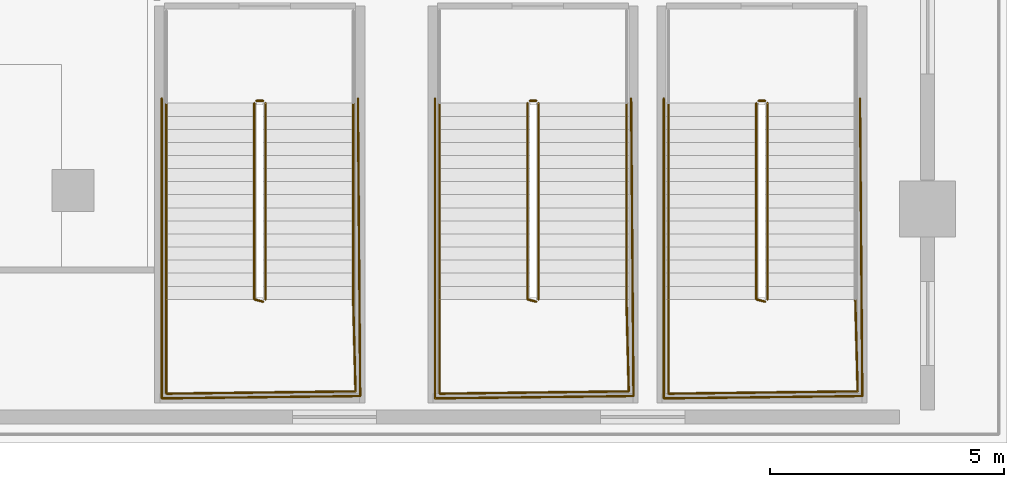
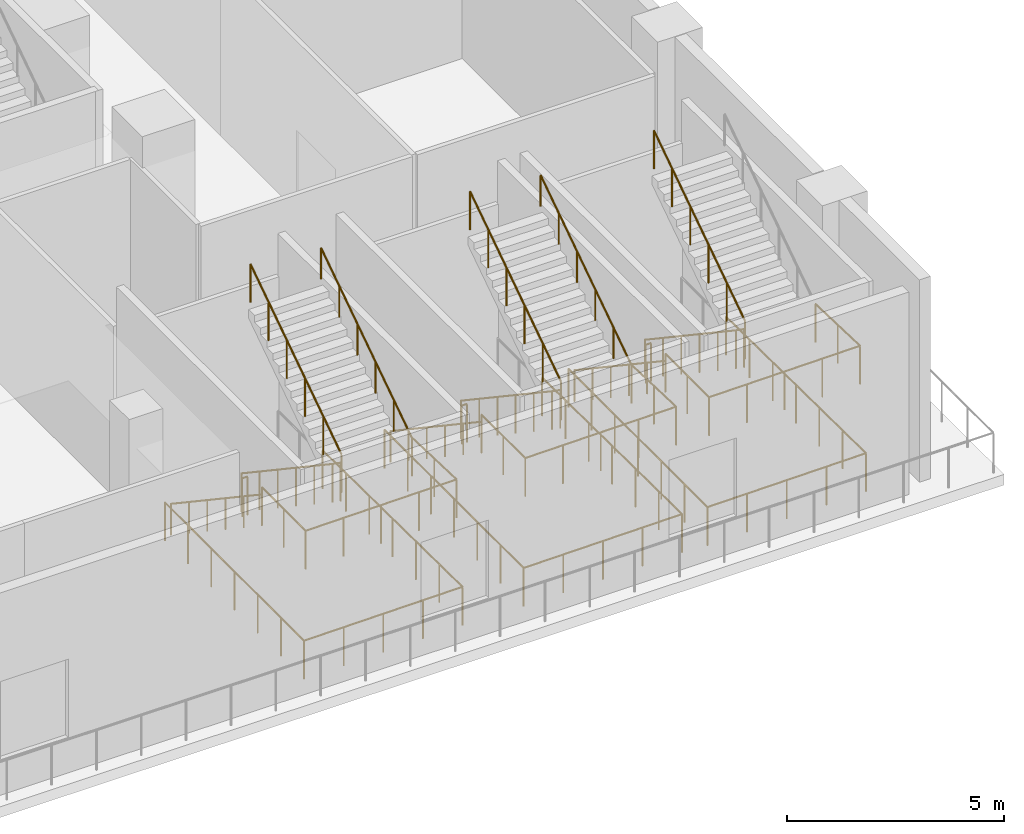
# One storey, part 26 of 30: 20 railings.
"""IFC4 building model written with IfcOpenShell, lengths in metres."""

from ifc_helpers import new_model, si_unit, direction, frame, origin, origin_2d, place, context, subcontext, project, spatial, circle, extrude, material, layer, layer_set, type_object, element, save


model = new_model("IFC4")

# Units and contexts
model_context = context("Model", 3, precision=1e-05, world=origin(), true_north=direction((0.0, 1.0)))
body_context = subcontext(model_context, "Body", "Model", "MODEL_VIEW")
ifc_project = project(units=[si_unit("LENGTHUNIT", "METRE"), si_unit("AREAUNIT", "SQUARE_METRE"), si_unit("VOLUMEUNIT", "CUBIC_METRE"), si_unit("PLANEANGLEUNIT", "RADIAN"), si_unit("MASSUNIT", "GRAM", prefix="KILO")], contexts=[model_context])

# Site, building, storey
site_placement = place(None, origin())
site = spatial("IfcSite", under=ifc_project, at=site_placement, CompositionType="ELEMENT")
building_placement = place(site_placement, origin())
building = spatial("IfcBuilding", under=site, at=building_placement, Name="Ndaravel Arena Tower", CompositionType="ELEMENT")
storey_placement = place(building_placement, frame((0.0, 0.0, 6.0)))
storey = spatial("IfcBuildingStorey", under=building, at=storey_placement, Name="L01", CompositionType="ELEMENT", Elevation=6.0)

# Railings
ifc_material_1 = material(Name="Steel S355", Category="steel")
ifc_layer_1 = layer(ifc_material_1, 0.06005859375)
ifc_layer_set_1 = layer_set([ifc_layer_1], Name="Steel S355")
railing_type_1 = type_object("IfcRailingType", Name="RAIL-STAIR-GD1100", PredefinedType="GUARDRAIL", material=ifc_layer_set_1)
railing_1_placement = place(storey_placement, frame((67.8798828125, 7.27001953125, 0.1875)))
element("IfcRailing", 1, at=railing_1_placement, inside=storey, type_object=railing_type_1, Name="L01 ST-A04 stair guard 1", PredefinedType="GUARDRAIL", context=body_context, shape_type="SweptSolid", body=[
    extrude(circle(Radius=0.02392578125, at=origin_2d()), frame((0.0, 0.0, 1.076171875), z_axis=(0.0, -0.830904186295, 0.556415522067), x_axis=(1.0, 0.0, 0.0)), (0.0, 0.0, 1.0), 5.0546875),
    extrude(circle(Radius=0.02392578125, at=origin_2d()), frame((0.0, -4.199951171875, 3.888671875), z_axis=(0.967074537263, -0.25449329928, 0.0), x_axis=(0.25449329928, 0.967074537263, 0.0)), (0.0, 0.0, 1.0), 0.19677734375),
    extrude(circle(Radius=0.02099609375, at=origin_2d()), origin(), (0.0, 0.0, 1.0), 1.052001953125),
    extrude(circle(Radius=0.02099609375, at=origin_2d()), frame((0.0, -0.840087890625, 0.5625)), (0.0, 0.0, 1.0), 1.052001953125),
    extrude(circle(Radius=0.02099609375, at=origin_2d()), frame((0.0, -1.679931640625, 1.125)), (0.0, 0.0, 1.0), 1.052001953125),
    extrude(circle(Radius=0.02099609375, at=origin_2d()), frame((0.0, -2.52001953125, 1.6875)), (0.0, 0.0, 1.0), 1.052001953125),
    extrude(circle(Radius=0.02099609375, at=origin_2d()), frame((0.0, -3.35986328125, 2.25)), (0.0, 0.0, 1.0), 1.052001953125),
    extrude(circle(Radius=0.02099609375, at=origin_2d()), frame((0.0, -4.199951171875, 2.8125)), (0.0, 0.0, 1.0), 1.052001953125),
    extrude(circle(Radius=0.02099609375, at=origin_2d()), frame((0.190185546875, -4.25, 2.8125)), (0.0, 0.0, 1.0), 1.052001953125),
])
railing_2_placement = place(storey_placement, frame((66.0, 3.070068359375, 3.0)))
element("IfcRailing", 2, at=railing_2_placement, inside=storey, type_object=railing_type_1, Name="L01 ST-A04 stair guard 2", PredefinedType="GUARDRAIL", context=body_context, shape_type="SweptSolid", body=[
    extrude(circle(Radius=0.02392578125, at=origin_2d()), frame((0.0, 0.0, 1.076171875), z_axis=(0.0, -1.0, 0.0), x_axis=(1.0, 0.0, 0.0)), (0.0, 0.0, 1.0), 2.02001953125),
    extrude(circle(Radius=0.02392578125, at=origin_2d()), frame((0.0, -2.02001953125, 1.076171875), z_axis=(0.999923653774, 0.012356642897, 0.0), x_axis=(-0.012356642897, 0.999923653774, 0.0)), (0.0, 0.0, 1.0), 4.05029296875),
    extrude(circle(Radius=0.02392578125, at=origin_2d()), frame((4.050048828125, -1.969970703125, 1.076171875), z_axis=(-0.025397679083, 0.999677426922, 0.0), x_axis=(-0.999677426922, -0.025397679083, 0.0)), (0.0, 0.0, 1.0), 1.970703125),
    extrude(circle(Radius=0.02099609375, at=origin_2d()), origin(), (0.0, 0.0, 1.0), 1.052001953125),
    extrude(circle(Radius=0.02099609375, at=origin_2d()), frame((0.0, -1.010009765625, 0.0)), (0.0, 0.0, 1.0), 1.052001953125),
    extrude(circle(Radius=0.02099609375, at=origin_2d()), frame((0.0, -2.02001953125, 0.0)), (0.0, 0.0, 1.0), 1.052001953125),
    extrude(circle(Radius=0.02099609375, at=origin_2d()), frame((1.012451171875, -2.007568359375, 0.0)), (0.0, 0.0, 1.0), 1.052001953125),
    extrude(circle(Radius=0.02099609375, at=origin_2d()), frame((2.02490234375, -1.9951171875, 0.0)), (0.0, 0.0, 1.0), 1.052001953125),
    extrude(circle(Radius=0.02099609375, at=origin_2d()), frame((3.03759765625, -1.982421875, 0.0)), (0.0, 0.0, 1.0), 1.052001953125),
    extrude(circle(Radius=0.02099609375, at=origin_2d()), frame((4.050048828125, -1.969970703125, 0.0)), (0.0, 0.0, 1.0), 1.052001953125),
    extrude(circle(Radius=0.02099609375, at=origin_2d()), frame((4.02490234375, -0.98486328125, 0.0)), (0.0, 0.0, 1.0), 1.052001953125),
    extrude(circle(Radius=0.02099609375, at=origin_2d()), frame((4.0, 0.0, 0.0)), (0.0, 0.0, 1.0), 1.052001953125),
])
railing_3_placement = place(storey_placement, frame((68.1201171875, 3.070068359375, 3.1875)))
element("IfcRailing", 3, at=railing_3_placement, inside=storey, type_object=railing_type_1, Name="L01 ST-A04 stair guard 3", PredefinedType="GUARDRAIL", context=body_context, shape_type="SweptSolid", body=[
    extrude(circle(Radius=0.02392578125, at=origin_2d()), frame((0.0, 0.0, 1.076171875), z_axis=(0.0, 0.830904186295, 0.556415522067), x_axis=(-1.0, 0.0, 0.0)), (0.0, 0.0, 1.0), 5.0546875),
    extrude(circle(Radius=0.02099609375, at=origin_2d()), origin(), (0.0, 0.0, 1.0), 1.052001953125),
    extrude(circle(Radius=0.02099609375, at=origin_2d()), frame((0.0, 0.840087890625, 0.5625)), (0.0, 0.0, 1.0), 1.052001953125),
    extrude(circle(Radius=0.02099609375, at=origin_2d()), frame((0.0, 1.679931640625, 1.125)), (0.0, 0.0, 1.0), 1.052001953125),
    extrude(circle(Radius=0.02099609375, at=origin_2d()), frame((0.0, 2.52001953125, 1.6875)), (0.0, 0.0, 1.0), 1.052001953125),
    extrude(circle(Radius=0.02099609375, at=origin_2d()), frame((0.0, 3.35986328125, 2.25)), (0.0, 0.0, 1.0), 1.052001953125),
    extrude(circle(Radius=0.02099609375, at=origin_2d()), frame((0.0, 4.199951171875, 2.8125)), (0.0, 0.0, 1.0), 1.052001953125),
])
railing_4_placement = place(storey_placement, frame((67.929931640625, 7.320068359375, 0.0)))
element("IfcRailing", 4, at=railing_4_placement, inside=storey, type_object=railing_type_1, Name="L01 ST-A04 stair guard 4", PredefinedType="GUARDRAIL", context=body_context, shape_type="SweptSolid", body=[
    extrude(circle(Radius=0.02392578125, at=origin_2d()), frame((0.0, 0.0, 1.076171875), z_axis=(1.0, 0.0, 0.0), x_axis=(0.0, 1.0, 0.0)), (0.0, 0.0, 1.0), 0.14013671875),
    extrude(circle(Radius=0.02099609375, at=origin_2d()), origin(), (0.0, 0.0, 1.0), 1.052001953125),
    extrude(circle(Radius=0.02099609375, at=origin_2d()), frame((0.14013671875, 0.0, 0.0)), (0.0, 0.0, 1.0), 1.052001953125),
])
railing_5_placement = place(storey_placement, frame((65.89990234375, 7.3701171875, 0.0)))
element("IfcRailing", 5, at=railing_5_placement, inside=storey, type_object=railing_type_1, Name="L01 ST-A04 stair guard 7", PredefinedType="GUARDRAIL", context=body_context, shape_type="SweptSolid", body=[
    extrude(circle(Radius=0.02392578125, at=origin_2d()), frame((0.0, 0.0, 1.076171875), z_axis=(0.0, -1.0, 0.0), x_axis=(1.0, 0.0, 0.0)), (0.0, 0.0, 1.0), 6.420166015625),
    extrude(circle(Radius=0.02392578125, at=origin_2d()), frame((0.0, -6.420166015625, 1.076171875), z_axis=(0.999930667828, 0.011775378384, 0.0), x_axis=(-0.011775378384, 0.999930667828, 0.0)), (0.0, 0.0, 1.0), 4.250244140625),
    extrude(circle(Radius=0.02392578125, at=origin_2d()), frame((4.25, -6.3701171875, 1.076171875), z_axis=(-0.007818249469, 0.999969437021, 0.0), x_axis=(-0.999969437021, -0.007818249469, 0.0)), (0.0, 0.0, 1.0), 6.370361328125),
    extrude(circle(Radius=0.02099609375, at=origin_2d()), origin(), (0.0, 0.0, 1.0), 1.052001953125),
    extrude(circle(Radius=0.02099609375, at=origin_2d()), frame((0.0, -1.070068359375, 0.0)), (0.0, 0.0, 1.0), 1.052001953125),
    extrude(circle(Radius=0.02099609375, at=origin_2d()), frame((0.0, -2.14013671875, 0.0)), (0.0, 0.0, 1.0), 1.052001953125),
    extrude(circle(Radius=0.02099609375, at=origin_2d()), frame((0.0, -3.2099609375, 0.0)), (0.0, 0.0, 1.0), 1.052001953125),
    extrude(circle(Radius=0.02099609375, at=origin_2d()), frame((0.0, -4.280029296875, 0.0)), (0.0, 0.0, 1.0), 1.052001953125),
    extrude(circle(Radius=0.02099609375, at=origin_2d()), frame((0.0, -5.35009765625, 0.0)), (0.0, 0.0, 1.0), 1.052001953125),
    extrude(circle(Radius=0.02099609375, at=origin_2d()), frame((0.0, -6.420166015625, 0.0)), (0.0, 0.0, 1.0), 1.052001953125),
    extrude(circle(Radius=0.02099609375, at=origin_2d()), frame((1.0625, -6.40771484375, 0.0)), (0.0, 0.0, 1.0), 1.052001953125),
    extrude(circle(Radius=0.02099609375, at=origin_2d()), frame((2.125, -6.39501953125, 0.0)), (0.0, 0.0, 1.0), 1.052001953125),
    extrude(circle(Radius=0.02099609375, at=origin_2d()), frame((3.1875, -6.382568359375, 0.0)), (0.0, 0.0, 1.0), 1.052001953125),
    extrude(circle(Radius=0.02099609375, at=origin_2d()), frame((4.25, -6.3701171875, 0.0)), (0.0, 0.0, 1.0), 1.052001953125),
    extrude(circle(Radius=0.02099609375, at=origin_2d()), frame((4.24169921875, -5.308349609375, 0.0)), (0.0, 0.0, 1.0), 1.052001953125),
    extrude(circle(Radius=0.02099609375, at=origin_2d()), frame((4.2333984375, -4.246826171875, 0.0)), (0.0, 0.0, 1.0), 1.052001953125),
    extrude(circle(Radius=0.02099609375, at=origin_2d()), frame((4.22509765625, -3.18505859375, 0.0)), (0.0, 0.0, 1.0), 1.052001953125),
    extrude(circle(Radius=0.02099609375, at=origin_2d()), frame((4.216796875, -2.123291015625, 0.0)), (0.0, 0.0, 1.0), 1.052001953125),
    extrude(circle(Radius=0.02099609375, at=origin_2d()), frame((4.20849609375, -1.061767578125, 0.0)), (0.0, 0.0, 1.0), 1.052001953125),
    extrude(circle(Radius=0.02099609375, at=origin_2d()), frame((4.2001953125, 0.0, 0.0)), (0.0, 0.0, 1.0), 1.052001953125),
])
railing_6_placement = place(storey_placement, frame((73.72998046875, 7.27001953125, 0.1875)))
element("IfcRailing", 6, at=railing_6_placement, inside=storey, type_object=railing_type_1, Name="L01 ST-A05 stair guard 1", PredefinedType="GUARDRAIL", context=body_context, shape_type="SweptSolid", body=[
    extrude(circle(Radius=0.02392578125, at=origin_2d()), frame((0.0, 0.0, 1.076171875), z_axis=(0.0, -0.830904186295, 0.556415522067), x_axis=(1.0, 0.0, 0.0)), (0.0, 0.0, 1.0), 5.0546875),
    extrude(circle(Radius=0.02392578125, at=origin_2d()), frame((0.0, -4.199951171875, 3.888671875), z_axis=(0.966993988697, -0.254799187253, 0.0), x_axis=(0.254799187253, 0.966993988697, 0.0)), (0.0, 0.0, 1.0), 0.196533203125),
    extrude(circle(Radius=0.02099609375, at=origin_2d()), origin(), (0.0, 0.0, 1.0), 1.052001953125),
    extrude(circle(Radius=0.02099609375, at=origin_2d()), frame((0.0, -0.840087890625, 0.5625)), (0.0, 0.0, 1.0), 1.052001953125),
    extrude(circle(Radius=0.02099609375, at=origin_2d()), frame((0.0, -1.679931640625, 1.125)), (0.0, 0.0, 1.0), 1.052001953125),
    extrude(circle(Radius=0.02099609375, at=origin_2d()), frame((0.0, -2.52001953125, 1.6875)), (0.0, 0.0, 1.0), 1.052001953125),
    extrude(circle(Radius=0.02099609375, at=origin_2d()), frame((0.0, -3.35986328125, 2.25)), (0.0, 0.0, 1.0), 1.052001953125),
    extrude(circle(Radius=0.02099609375, at=origin_2d()), frame((0.0, -4.199951171875, 2.8125)), (0.0, 0.0, 1.0), 1.052001953125),
    extrude(circle(Radius=0.02099609375, at=origin_2d()), frame((0.18994140625, -4.25, 2.8125)), (0.0, 0.0, 1.0), 1.052001953125),
])
railing_7_placement = place(storey_placement, frame((71.85009765625, 3.070068359375, 3.0)))
element("IfcRailing", 7, at=railing_7_placement, inside=storey, type_object=railing_type_1, Name="L01 ST-A05 stair guard 2", PredefinedType="GUARDRAIL", context=body_context, shape_type="SweptSolid", body=[
    extrude(circle(Radius=0.02392578125, at=origin_2d()), frame((0.0, 0.0, 1.076171875), z_axis=(0.0, -1.0, 0.0), x_axis=(1.0, 0.0, 0.0)), (0.0, 0.0, 1.0), 2.02001953125),
    extrude(circle(Radius=0.02392578125, at=origin_2d()), frame((0.0, -2.02001953125, 1.076171875), z_axis=(0.99992364457, 0.012357387698, 0.0), x_axis=(-0.012357387698, 0.99992364457, 0.0)), (0.0, 0.0, 1.0), 4.050048828125),
    extrude(circle(Radius=0.02392578125, at=origin_2d()), frame((4.0498046875, -1.969970703125, 1.076171875), z_axis=(-0.025273867297, 0.999680564797, 0.0), x_axis=(-0.999680564797, -0.025273867297, 0.0)), (0.0, 0.0, 1.0), 1.970703125),
    extrude(circle(Radius=0.02099609375, at=origin_2d()), origin(), (0.0, 0.0, 1.0), 1.052001953125),
    extrude(circle(Radius=0.02099609375, at=origin_2d()), frame((0.0, -1.010009765625, 0.0)), (0.0, 0.0, 1.0), 1.052001953125),
    extrude(circle(Radius=0.02099609375, at=origin_2d()), frame((0.0, -2.02001953125, 0.0)), (0.0, 0.0, 1.0), 1.052001953125),
    extrude(circle(Radius=0.02099609375, at=origin_2d()), frame((1.012451171875, -2.007568359375, 0.0)), (0.0, 0.0, 1.0), 1.052001953125),
    extrude(circle(Radius=0.02099609375, at=origin_2d()), frame((2.02490234375, -1.9951171875, 0.0)), (0.0, 0.0, 1.0), 1.052001953125),
    extrude(circle(Radius=0.02099609375, at=origin_2d()), frame((3.037353515625, -1.982421875, 0.0)), (0.0, 0.0, 1.0), 1.052001953125),
    extrude(circle(Radius=0.02099609375, at=origin_2d()), frame((4.0498046875, -1.969970703125, 0.0)), (0.0, 0.0, 1.0), 1.052001953125),
    extrude(circle(Radius=0.02099609375, at=origin_2d()), frame((4.02490234375, -0.98486328125, 0.0)), (0.0, 0.0, 1.0), 1.052001953125),
    extrude(circle(Radius=0.02099609375, at=origin_2d()), frame((4.0, 0.0, 0.0)), (0.0, 0.0, 1.0), 1.052001953125),
])
railing_8_placement = place(storey_placement, frame((73.969970703125, 3.070068359375, 3.1875)))
element("IfcRailing", 8, at=railing_8_placement, inside=storey, type_object=railing_type_1, Name="L01 ST-A05 stair guard 3", PredefinedType="GUARDRAIL", context=body_context, shape_type="SweptSolid", body=[
    extrude(circle(Radius=0.02392578125, at=origin_2d()), frame((0.0, 0.0, 1.076171875), z_axis=(0.0, 0.830904186295, 0.556415522067), x_axis=(-1.0, 0.0, 0.0)), (0.0, 0.0, 1.0), 5.0546875),
    extrude(circle(Radius=0.02099609375, at=origin_2d()), origin(), (0.0, 0.0, 1.0), 1.052001953125),
    extrude(circle(Radius=0.02099609375, at=origin_2d()), frame((0.0, 0.840087890625, 0.5625)), (0.0, 0.0, 1.0), 1.052001953125),
    extrude(circle(Radius=0.02099609375, at=origin_2d()), frame((0.0, 1.679931640625, 1.125)), (0.0, 0.0, 1.0), 1.052001953125),
    extrude(circle(Radius=0.02099609375, at=origin_2d()), frame((0.0, 2.52001953125, 1.6875)), (0.0, 0.0, 1.0), 1.052001953125),
    extrude(circle(Radius=0.02099609375, at=origin_2d()), frame((0.0, 3.35986328125, 2.25)), (0.0, 0.0, 1.0), 1.052001953125),
    extrude(circle(Radius=0.02099609375, at=origin_2d()), frame((0.0, 4.199951171875, 2.8125)), (0.0, 0.0, 1.0), 1.052001953125),
])
railing_9_placement = place(storey_placement, frame((73.780029296875, 7.320068359375, 0.0)))
element("IfcRailing", 9, at=railing_9_placement, inside=storey, type_object=railing_type_1, Name="L01 ST-A05 stair guard 4", PredefinedType="GUARDRAIL", context=body_context, shape_type="SweptSolid", body=[
    extrude(circle(Radius=0.02392578125, at=origin_2d()), frame((0.0, 0.0, 1.076171875), z_axis=(1.0, 0.0, 0.0), x_axis=(0.0, 1.0, 0.0)), (0.0, 0.0, 1.0), 0.139892578125),
    extrude(circle(Radius=0.02099609375, at=origin_2d()), origin(), (0.0, 0.0, 1.0), 1.052001953125),
    extrude(circle(Radius=0.02099609375, at=origin_2d()), frame((0.139892578125, 0.0, 0.0)), (0.0, 0.0, 1.0), 1.052001953125),
])
railing_10_placement = place(storey_placement, frame((71.75, 7.3701171875, 0.0)))
element("IfcRailing", 10, at=railing_10_placement, inside=storey, type_object=railing_type_1, Name="L01 ST-A05 stair guard 7", PredefinedType="GUARDRAIL", context=body_context, shape_type="SweptSolid", body=[
    extrude(circle(Radius=0.02392578125, at=origin_2d()), frame((0.0, 0.0, 1.076171875), z_axis=(0.0, -1.0, 0.0), x_axis=(1.0, 0.0, 0.0)), (0.0, 0.0, 1.0), 6.420166015625),
    extrude(circle(Radius=0.02392578125, at=origin_2d()), frame((0.0, -6.420166015625, 1.076171875), z_axis=(0.999930667828, 0.011775378384, 0.0), x_axis=(-0.011775378384, 0.999930667828, 0.0)), (0.0, 0.0, 1.0), 4.250244140625),
    extrude(circle(Radius=0.02392578125, at=origin_2d()), frame((4.25, -6.3701171875, 1.076171875), z_axis=(-0.007856571862, 0.999969136663, 0.0), x_axis=(-0.999969136663, -0.007856571862, 0.0)), (0.0, 0.0, 1.0), 6.370361328125),
    extrude(circle(Radius=0.02099609375, at=origin_2d()), origin(), (0.0, 0.0, 1.0), 1.052001953125),
    extrude(circle(Radius=0.02099609375, at=origin_2d()), frame((0.0, -1.070068359375, 0.0)), (0.0, 0.0, 1.0), 1.052001953125),
    extrude(circle(Radius=0.02099609375, at=origin_2d()), frame((0.0, -2.14013671875, 0.0)), (0.0, 0.0, 1.0), 1.052001953125),
    extrude(circle(Radius=0.02099609375, at=origin_2d()), frame((0.0, -3.2099609375, 0.0)), (0.0, 0.0, 1.0), 1.052001953125),
    extrude(circle(Radius=0.02099609375, at=origin_2d()), frame((0.0, -4.280029296875, 0.0)), (0.0, 0.0, 1.0), 1.052001953125),
    extrude(circle(Radius=0.02099609375, at=origin_2d()), frame((0.0, -5.35009765625, 0.0)), (0.0, 0.0, 1.0), 1.052001953125),
    extrude(circle(Radius=0.02099609375, at=origin_2d()), frame((0.0, -6.420166015625, 0.0)), (0.0, 0.0, 1.0), 1.052001953125),
    extrude(circle(Radius=0.02099609375, at=origin_2d()), frame((1.0625, -6.40771484375, 0.0)), (0.0, 0.0, 1.0), 1.052001953125),
    extrude(circle(Radius=0.02099609375, at=origin_2d()), frame((2.125, -6.39501953125, 0.0)), (0.0, 0.0, 1.0), 1.052001953125),
    extrude(circle(Radius=0.02099609375, at=origin_2d()), frame((3.1875, -6.382568359375, 0.0)), (0.0, 0.0, 1.0), 1.052001953125),
    extrude(circle(Radius=0.02099609375, at=origin_2d()), frame((4.25, -6.3701171875, 0.0)), (0.0, 0.0, 1.0), 1.052001953125),
    extrude(circle(Radius=0.02099609375, at=origin_2d()), frame((4.24169921875, -5.308349609375, 0.0)), (0.0, 0.0, 1.0), 1.052001953125),
    extrude(circle(Radius=0.02099609375, at=origin_2d()), frame((4.2333984375, -4.246826171875, 0.0)), (0.0, 0.0, 1.0), 1.052001953125),
    extrude(circle(Radius=0.02099609375, at=origin_2d()), frame((4.22509765625, -3.18505859375, 0.0)), (0.0, 0.0, 1.0), 1.052001953125),
    extrude(circle(Radius=0.02099609375, at=origin_2d()), frame((4.216552734375, -2.123291015625, 0.0)), (0.0, 0.0, 1.0), 1.052001953125),
    extrude(circle(Radius=0.02099609375, at=origin_2d()), frame((4.208251953125, -1.061767578125, 0.0)), (0.0, 0.0, 1.0), 1.052001953125),
    extrude(circle(Radius=0.02099609375, at=origin_2d()), frame((4.199951171875, 0.0, 0.0)), (0.0, 0.0, 1.0), 1.052001953125),
])
railing_11_placement = place(storey_placement, frame((78.6298828125, 7.27001953125, 0.1875)))
element("IfcRailing", 11, at=railing_11_placement, inside=storey, type_object=railing_type_1, Name="L01 ST-A06 stair guard 1", PredefinedType="GUARDRAIL", context=body_context, shape_type="SweptSolid", body=[
    extrude(circle(Radius=0.02392578125, at=origin_2d()), frame((0.0, 0.0, 1.076171875), z_axis=(0.0, -0.830904186295, 0.556415522067), x_axis=(1.0, 0.0, 0.0)), (0.0, 0.0, 1.0), 5.0546875),
    extrude(circle(Radius=0.02392578125, at=origin_2d()), frame((0.0, -4.199951171875, 3.888671875), z_axis=(0.967074537263, -0.25449329928, 0.0), x_axis=(0.25449329928, 0.967074537263, 0.0)), (0.0, 0.0, 1.0), 0.19677734375),
    extrude(circle(Radius=0.02099609375, at=origin_2d()), origin(), (0.0, 0.0, 1.0), 1.052001953125),
    extrude(circle(Radius=0.02099609375, at=origin_2d()), frame((0.0, -0.840087890625, 0.5625)), (0.0, 0.0, 1.0), 1.052001953125),
    extrude(circle(Radius=0.02099609375, at=origin_2d()), frame((0.0, -1.679931640625, 1.125)), (0.0, 0.0, 1.0), 1.052001953125),
    extrude(circle(Radius=0.02099609375, at=origin_2d()), frame((0.0, -2.52001953125, 1.6875)), (0.0, 0.0, 1.0), 1.052001953125),
    extrude(circle(Radius=0.02099609375, at=origin_2d()), frame((0.0, -3.35986328125, 2.25)), (0.0, 0.0, 1.0), 1.052001953125),
    extrude(circle(Radius=0.02099609375, at=origin_2d()), frame((0.0, -4.199951171875, 2.8125)), (0.0, 0.0, 1.0), 1.052001953125),
    extrude(circle(Radius=0.02099609375, at=origin_2d()), frame((0.190185546875, -4.25, 2.8125)), (0.0, 0.0, 1.0), 1.052001953125),
])
railing_12_placement = place(storey_placement, frame((76.75, 3.070068359375, 3.0)))
element("IfcRailing", 12, at=railing_12_placement, inside=storey, type_object=railing_type_1, Name="L01 ST-A06 stair guard 2", PredefinedType="GUARDRAIL", context=body_context, shape_type="SweptSolid", body=[
    extrude(circle(Radius=0.02392578125, at=origin_2d()), frame((0.0, 0.0, 1.076171875), z_axis=(0.0, -1.0, 0.0), x_axis=(1.0, 0.0, 0.0)), (0.0, 0.0, 1.0), 2.02001953125),
    extrude(circle(Radius=0.02392578125, at=origin_2d()), frame((0.0, -2.02001953125, 1.076171875), z_axis=(0.999923653774, 0.012356642897, 0.0), x_axis=(-0.012356642897, 0.999923653774, 0.0)), (0.0, 0.0, 1.0), 4.05029296875),
    extrude(circle(Radius=0.02392578125, at=origin_2d()), frame((4.050048828125, -1.969970703125, 1.076171875), z_axis=(-0.025397679083, 0.999677426922, 0.0), x_axis=(-0.999677426922, -0.025397679083, 0.0)), (0.0, 0.0, 1.0), 1.970703125),
    extrude(circle(Radius=0.02099609375, at=origin_2d()), origin(), (0.0, 0.0, 1.0), 1.052001953125),
    extrude(circle(Radius=0.02099609375, at=origin_2d()), frame((0.0, -1.010009765625, 0.0)), (0.0, 0.0, 1.0), 1.052001953125),
    extrude(circle(Radius=0.02099609375, at=origin_2d()), frame((0.0, -2.02001953125, 0.0)), (0.0, 0.0, 1.0), 1.052001953125),
    extrude(circle(Radius=0.02099609375, at=origin_2d()), frame((1.012451171875, -2.007568359375, 0.0)), (0.0, 0.0, 1.0), 1.052001953125),
    extrude(circle(Radius=0.02099609375, at=origin_2d()), frame((2.02490234375, -1.9951171875, 0.0)), (0.0, 0.0, 1.0), 1.052001953125),
    extrude(circle(Radius=0.02099609375, at=origin_2d()), frame((3.03759765625, -1.982421875, 0.0)), (0.0, 0.0, 1.0), 1.052001953125),
    extrude(circle(Radius=0.02099609375, at=origin_2d()), frame((4.050048828125, -1.969970703125, 0.0)), (0.0, 0.0, 1.0), 1.052001953125),
    extrude(circle(Radius=0.02099609375, at=origin_2d()), frame((4.02490234375, -0.98486328125, 0.0)), (0.0, 0.0, 1.0), 1.052001953125),
    extrude(circle(Radius=0.02099609375, at=origin_2d()), frame((4.0, 0.0, 0.0)), (0.0, 0.0, 1.0), 1.052001953125),
])
railing_13_placement = place(storey_placement, frame((78.8701171875, 3.070068359375, 3.1875)))
element("IfcRailing", 13, at=railing_13_placement, inside=storey, type_object=railing_type_1, Name="L01 ST-A06 stair guard 3", PredefinedType="GUARDRAIL", context=body_context, shape_type="SweptSolid", body=[
    extrude(circle(Radius=0.02392578125, at=origin_2d()), frame((0.0, 0.0, 1.076171875), z_axis=(0.0, 0.830904186295, 0.556415522067), x_axis=(-1.0, 0.0, 0.0)), (0.0, 0.0, 1.0), 5.0546875),
    extrude(circle(Radius=0.02099609375, at=origin_2d()), origin(), (0.0, 0.0, 1.0), 1.052001953125),
    extrude(circle(Radius=0.02099609375, at=origin_2d()), frame((0.0, 0.840087890625, 0.5625)), (0.0, 0.0, 1.0), 1.052001953125),
    extrude(circle(Radius=0.02099609375, at=origin_2d()), frame((0.0, 1.679931640625, 1.125)), (0.0, 0.0, 1.0), 1.052001953125),
    extrude(circle(Radius=0.02099609375, at=origin_2d()), frame((0.0, 2.52001953125, 1.6875)), (0.0, 0.0, 1.0), 1.052001953125),
    extrude(circle(Radius=0.02099609375, at=origin_2d()), frame((0.0, 3.35986328125, 2.25)), (0.0, 0.0, 1.0), 1.052001953125),
    extrude(circle(Radius=0.02099609375, at=origin_2d()), frame((0.0, 4.199951171875, 2.8125)), (0.0, 0.0, 1.0), 1.052001953125),
])
railing_14_placement = place(storey_placement, frame((78.679931640625, 7.320068359375, 0.0)))
element("IfcRailing", 14, at=railing_14_placement, inside=storey, type_object=railing_type_1, Name="L01 ST-A06 stair guard 4", PredefinedType="GUARDRAIL", context=body_context, shape_type="SweptSolid", body=[
    extrude(circle(Radius=0.02392578125, at=origin_2d()), frame((0.0, 0.0, 1.076171875), z_axis=(1.0, 0.0, 0.0), x_axis=(0.0, 1.0, 0.0)), (0.0, 0.0, 1.0), 0.14013671875),
    extrude(circle(Radius=0.02099609375, at=origin_2d()), origin(), (0.0, 0.0, 1.0), 1.052001953125),
    extrude(circle(Radius=0.02099609375, at=origin_2d()), frame((0.14013671875, 0.0, 0.0)), (0.0, 0.0, 1.0), 1.052001953125),
])
railing_15_placement = place(storey_placement, frame((76.64990234375, 7.3701171875, 0.0)))
element("IfcRailing", 15, at=railing_15_placement, inside=storey, type_object=railing_type_1, Name="L01 ST-A06 stair guard 7", PredefinedType="GUARDRAIL", context=body_context, shape_type="SweptSolid", body=[
    extrude(circle(Radius=0.02392578125, at=origin_2d()), frame((0.0, 0.0, 1.076171875), z_axis=(0.0, -1.0, 0.0), x_axis=(1.0, 0.0, 0.0)), (0.0, 0.0, 1.0), 6.420166015625),
    extrude(circle(Radius=0.02392578125, at=origin_2d()), frame((0.0, -6.420166015625, 1.076171875), z_axis=(0.999930667828, 0.011775378384, 0.0), x_axis=(-0.011775378384, 0.999930667828, 0.0)), (0.0, 0.0, 1.0), 4.250244140625),
    extrude(circle(Radius=0.02392578125, at=origin_2d()), frame((4.25, -6.3701171875, 1.076171875), z_axis=(-0.007818249469, 0.999969437021, 0.0), x_axis=(-0.999969437021, -0.007818249469, 0.0)), (0.0, 0.0, 1.0), 6.370361328125),
    extrude(circle(Radius=0.02099609375, at=origin_2d()), origin(), (0.0, 0.0, 1.0), 1.052001953125),
    extrude(circle(Radius=0.02099609375, at=origin_2d()), frame((0.0, -1.070068359375, 0.0)), (0.0, 0.0, 1.0), 1.052001953125),
    extrude(circle(Radius=0.02099609375, at=origin_2d()), frame((0.0, -2.14013671875, 0.0)), (0.0, 0.0, 1.0), 1.052001953125),
    extrude(circle(Radius=0.02099609375, at=origin_2d()), frame((0.0, -3.2099609375, 0.0)), (0.0, 0.0, 1.0), 1.052001953125),
    extrude(circle(Radius=0.02099609375, at=origin_2d()), frame((0.0, -4.280029296875, 0.0)), (0.0, 0.0, 1.0), 1.052001953125),
    extrude(circle(Radius=0.02099609375, at=origin_2d()), frame((0.0, -5.35009765625, 0.0)), (0.0, 0.0, 1.0), 1.052001953125),
    extrude(circle(Radius=0.02099609375, at=origin_2d()), frame((0.0, -6.420166015625, 0.0)), (0.0, 0.0, 1.0), 1.052001953125),
    extrude(circle(Radius=0.02099609375, at=origin_2d()), frame((1.0625, -6.40771484375, 0.0)), (0.0, 0.0, 1.0), 1.052001953125),
    extrude(circle(Radius=0.02099609375, at=origin_2d()), frame((2.125, -6.39501953125, 0.0)), (0.0, 0.0, 1.0), 1.052001953125),
    extrude(circle(Radius=0.02099609375, at=origin_2d()), frame((3.1875, -6.382568359375, 0.0)), (0.0, 0.0, 1.0), 1.052001953125),
    extrude(circle(Radius=0.02099609375, at=origin_2d()), frame((4.25, -6.3701171875, 0.0)), (0.0, 0.0, 1.0), 1.052001953125),
    extrude(circle(Radius=0.02099609375, at=origin_2d()), frame((4.24169921875, -5.308349609375, 0.0)), (0.0, 0.0, 1.0), 1.052001953125),
    extrude(circle(Radius=0.02099609375, at=origin_2d()), frame((4.2333984375, -4.246826171875, 0.0)), (0.0, 0.0, 1.0), 1.052001953125),
    extrude(circle(Radius=0.02099609375, at=origin_2d()), frame((4.22509765625, -3.18505859375, 0.0)), (0.0, 0.0, 1.0), 1.052001953125),
    extrude(circle(Radius=0.02099609375, at=origin_2d()), frame((4.216796875, -2.123291015625, 0.0)), (0.0, 0.0, 1.0), 1.052001953125),
    extrude(circle(Radius=0.02099609375, at=origin_2d()), frame((4.20849609375, -1.061767578125, 0.0)), (0.0, 0.0, 1.0), 1.052001953125),
    extrude(circle(Radius=0.02099609375, at=origin_2d()), frame((4.2001953125, 0.0, 0.0)), (0.0, 0.0, 1.0), 1.052001953125),
])
ifc_material_2 = material(Name="Steel S355", Category="steel")
ifc_layer_2 = layer(ifc_material_2, 0.050048828125)
ifc_layer_set_2 = layer_set([ifc_layer_2], Name="Steel S355")
railing_type_2 = type_object("IfcRailingType", Name="RAIL-STAIR-HR920", PredefinedType="HANDRAIL", material=ifc_layer_set_2)
railing_16_placement = place(storey_placement, frame((66.0, 7.27001953125, 0.1875)))
element("IfcRailing", 16, at=railing_16_placement, inside=storey, type_object=railing_type_2, Name="L01 ST-A04 stair handrail 1", PredefinedType="HANDRAIL", context=body_context, shape_type="SweptSolid", body=[
    extrude(circle(Radius=0.02392578125, at=origin_2d()), frame((0.0, 0.0, 0.8759765625), z_axis=(0.0, -0.830904186295, 0.556415522067), x_axis=(1.0, 0.0, 0.0)), (0.0, 0.0, 1.0), 5.0546875),
    extrude(circle(Radius=0.02099609375, at=origin_2d()), origin(), (0.0, 0.0, 1.0), 0.851806640625),
    extrude(circle(Radius=0.02099609375, at=origin_2d()), frame((0.0, -0.840087890625, 0.5625)), (0.0, 0.0, 1.0), 0.851806640625),
    extrude(circle(Radius=0.02099609375, at=origin_2d()), frame((0.0, -1.679931640625, 1.125)), (0.0, 0.0, 1.0), 0.851806640625),
    extrude(circle(Radius=0.02099609375, at=origin_2d()), frame((0.0, -2.52001953125, 1.6875)), (0.0, 0.0, 1.0), 0.851806640625),
    extrude(circle(Radius=0.02099609375, at=origin_2d()), frame((0.0, -3.35986328125, 2.25)), (0.0, 0.0, 1.0), 0.851806640625),
    extrude(circle(Radius=0.02099609375, at=origin_2d()), frame((0.0, -4.199951171875, 2.8125)), (0.0, 0.0, 1.0), 0.851806640625),
])
railing_17_placement = place(storey_placement, frame((70.0, 3.070068359375, 3.1875)))
element("IfcRailing", 17, at=railing_17_placement, inside=storey, type_object=railing_type_2, Name="L01 ST-A04 stair handrail 2", PredefinedType="HANDRAIL", context=body_context, shape_type="SweptSolid", body=[
    extrude(circle(Radius=0.02392578125, at=origin_2d()), frame((0.0, 0.0, 0.8759765625), z_axis=(0.0, 0.830904186295, 0.556415522067), x_axis=(-1.0, 0.0, 0.0)), (0.0, 0.0, 1.0), 5.0546875),
    extrude(circle(Radius=0.02099609375, at=origin_2d()), origin(), (0.0, 0.0, 1.0), 0.851806640625),
    extrude(circle(Radius=0.02099609375, at=origin_2d()), frame((0.0, 0.840087890625, 0.5625)), (0.0, 0.0, 1.0), 0.851806640625),
    extrude(circle(Radius=0.02099609375, at=origin_2d()), frame((0.0, 1.679931640625, 1.125)), (0.0, 0.0, 1.0), 0.851806640625),
    extrude(circle(Radius=0.02099609375, at=origin_2d()), frame((0.0, 2.52001953125, 1.6875)), (0.0, 0.0, 1.0), 0.851806640625),
    extrude(circle(Radius=0.02099609375, at=origin_2d()), frame((0.0, 3.35986328125, 2.25)), (0.0, 0.0, 1.0), 0.851806640625),
    extrude(circle(Radius=0.02099609375, at=origin_2d()), frame((0.0, 4.199951171875, 2.8125)), (0.0, 0.0, 1.0), 0.851806640625),
])
railing_18_placement = place(storey_placement, frame((71.85009765625, 7.27001953125, 0.1875)))
element("IfcRailing", 18, at=railing_18_placement, inside=storey, type_object=railing_type_2, Name="L01 ST-A05 stair handrail 1", PredefinedType="HANDRAIL", context=body_context, shape_type="SweptSolid", body=[
    extrude(circle(Radius=0.02392578125, at=origin_2d()), frame((0.0, 0.0, 0.8759765625), z_axis=(0.0, -0.830904186295, 0.556415522067), x_axis=(1.0, 0.0, 0.0)), (0.0, 0.0, 1.0), 5.0546875),
    extrude(circle(Radius=0.02099609375, at=origin_2d()), origin(), (0.0, 0.0, 1.0), 0.851806640625),
    extrude(circle(Radius=0.02099609375, at=origin_2d()), frame((0.0, -0.840087890625, 0.5625)), (0.0, 0.0, 1.0), 0.851806640625),
    extrude(circle(Radius=0.02099609375, at=origin_2d()), frame((0.0, -1.679931640625, 1.125)), (0.0, 0.0, 1.0), 0.851806640625),
    extrude(circle(Radius=0.02099609375, at=origin_2d()), frame((0.0, -2.52001953125, 1.6875)), (0.0, 0.0, 1.0), 0.851806640625),
    extrude(circle(Radius=0.02099609375, at=origin_2d()), frame((0.0, -3.35986328125, 2.25)), (0.0, 0.0, 1.0), 0.851806640625),
    extrude(circle(Radius=0.02099609375, at=origin_2d()), frame((0.0, -4.199951171875, 2.8125)), (0.0, 0.0, 1.0), 0.851806640625),
])
railing_19_placement = place(storey_placement, frame((75.85009765625, 3.070068359375, 3.1875)))
element("IfcRailing", 19, at=railing_19_placement, inside=storey, type_object=railing_type_2, Name="L01 ST-A05 stair handrail 2", PredefinedType="HANDRAIL", context=body_context, shape_type="SweptSolid", body=[
    extrude(circle(Radius=0.02392578125, at=origin_2d()), frame((0.0, 0.0, 0.8759765625), z_axis=(0.0, 0.830904186295, 0.556415522067), x_axis=(-1.0, 0.0, 0.0)), (0.0, 0.0, 1.0), 5.0546875),
    extrude(circle(Radius=0.02099609375, at=origin_2d()), origin(), (0.0, 0.0, 1.0), 0.851806640625),
    extrude(circle(Radius=0.02099609375, at=origin_2d()), frame((0.0, 0.840087890625, 0.5625)), (0.0, 0.0, 1.0), 0.851806640625),
    extrude(circle(Radius=0.02099609375, at=origin_2d()), frame((0.0, 1.679931640625, 1.125)), (0.0, 0.0, 1.0), 0.851806640625),
    extrude(circle(Radius=0.02099609375, at=origin_2d()), frame((0.0, 2.52001953125, 1.6875)), (0.0, 0.0, 1.0), 0.851806640625),
    extrude(circle(Radius=0.02099609375, at=origin_2d()), frame((0.0, 3.35986328125, 2.25)), (0.0, 0.0, 1.0), 0.851806640625),
    extrude(circle(Radius=0.02099609375, at=origin_2d()), frame((0.0, 4.199951171875, 2.8125)), (0.0, 0.0, 1.0), 0.851806640625),
])
railing_20_placement = place(storey_placement, frame((76.75, 7.27001953125, 0.1875)))
element("IfcRailing", 20, at=railing_20_placement, inside=storey, type_object=railing_type_2, Name="L01 ST-A06 stair handrail 1", PredefinedType="HANDRAIL", context=body_context, shape_type="SweptSolid", body=[
    extrude(circle(Radius=0.02392578125, at=origin_2d()), frame((0.0, 0.0, 0.8759765625), z_axis=(0.0, -0.830904186295, 0.556415522067), x_axis=(1.0, 0.0, 0.0)), (0.0, 0.0, 1.0), 5.0546875),
    extrude(circle(Radius=0.02099609375, at=origin_2d()), origin(), (0.0, 0.0, 1.0), 0.851806640625),
    extrude(circle(Radius=0.02099609375, at=origin_2d()), frame((0.0, -0.840087890625, 0.5625)), (0.0, 0.0, 1.0), 0.851806640625),
    extrude(circle(Radius=0.02099609375, at=origin_2d()), frame((0.0, -1.679931640625, 1.125)), (0.0, 0.0, 1.0), 0.851806640625),
    extrude(circle(Radius=0.02099609375, at=origin_2d()), frame((0.0, -2.52001953125, 1.6875)), (0.0, 0.0, 1.0), 0.851806640625),
    extrude(circle(Radius=0.02099609375, at=origin_2d()), frame((0.0, -3.35986328125, 2.25)), (0.0, 0.0, 1.0), 0.851806640625),
    extrude(circle(Radius=0.02099609375, at=origin_2d()), frame((0.0, -4.199951171875, 2.8125)), (0.0, 0.0, 1.0), 0.851806640625),
])

save(model, "model.ifc")
